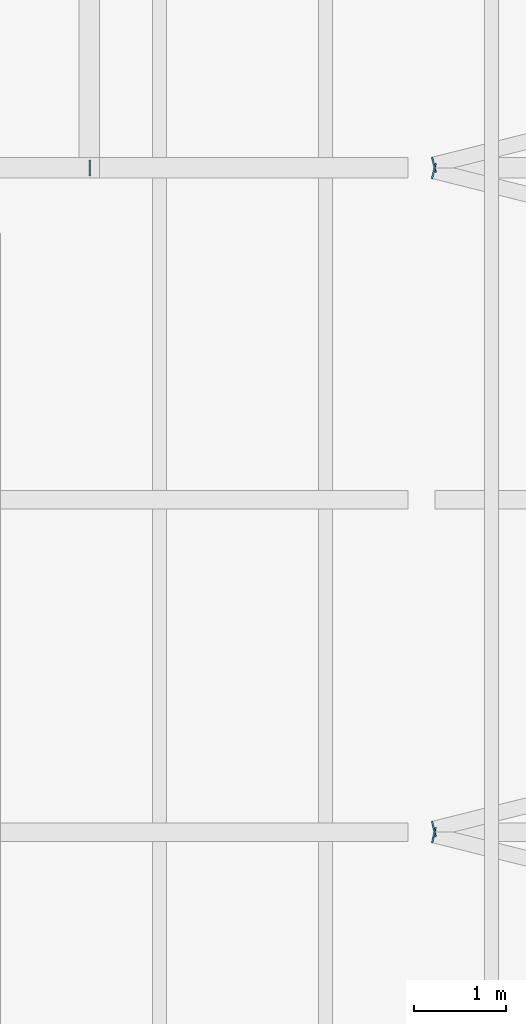
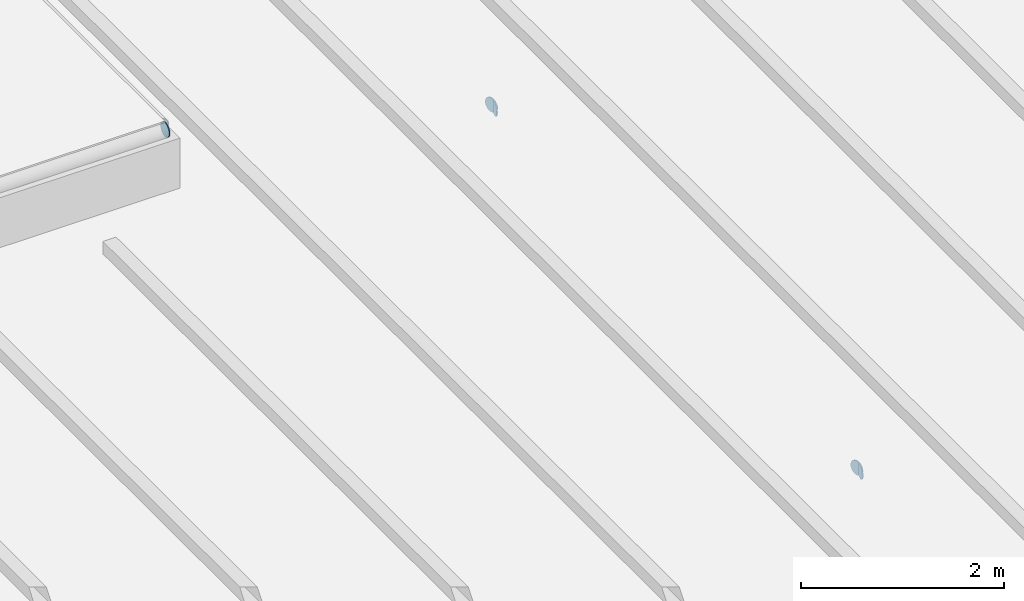
# One storey, part 73 of 120: 5 discrete accessories.
"""IFC4 building model written with IfcOpenShell, lengths in metres."""

from ifc_helpers import new_model, si_unit, direction, frame, origin, origin_2d, place, context, subcontext, project, spatial, circle, extrude, material, layer, layer_set, type_object, element, save


model = new_model("IFC4")

# Units and contexts
model_context = context("Model", 3, precision=1e-05, world=origin(), true_north=direction((0.0, 1.0)))
body_context = subcontext(model_context, "Body", "Model", "MODEL_VIEW")
ifc_project = project(units=[si_unit("LENGTHUNIT", "METRE"), si_unit("AREAUNIT", "SQUARE_METRE"), si_unit("VOLUMEUNIT", "CUBIC_METRE"), si_unit("PLANEANGLEUNIT", "RADIAN"), si_unit("MASSUNIT", "GRAM", prefix="KILO")], contexts=[model_context])

# Site, building, storey
site_placement = place(None, origin())
site = spatial("IfcSite", under=ifc_project, at=site_placement, CompositionType="ELEMENT")
building_placement = place(site_placement, origin())
building = spatial("IfcBuilding", under=site, at=building_placement, Name="Kupolbacken Congress Centre", CompositionType="ELEMENT")
storey_placement = place(building_placement, frame((0.0, 0.0, 21.60009765625)))
storey = spatial("IfcBuildingStorey", under=building, at=storey_placement, Name="L06", CompositionType="ELEMENT", Elevation=21.60009765625)

# Discrete accessories
ifc_material = material(Name="Steel S355", Category="steel")
ifc_layer = layer(ifc_material, 0.011962890625)
ifc_layer_set = layer_set([ifc_layer], Name="Steel S355")
discrete_accessory_type = type_object("IfcDiscreteAccessoryType", Name="EC2 tube end cap plate 168 dia x 12", PredefinedType="BRACKET", material=ifc_layer_set)
for number, where, z_axis, x_axis, name in (
    (1, (122.540771484375, 46.764892578125, -0.084228515625), (-0.974732318528, 0.223376156329, 0.0), (-0.223376156329, -0.974732318528, 0.0), "End cap plate HR/RB/03-00 B"),
    (2, (122.540771484375, 46.835205078125, -0.084228515625), (-0.970142500145, -0.242535625036, 0.0), (0.242535625036, -0.970142500145, 0.0), "End cap plate HR/RB/03-01 A"),
    (3, (122.540771484375, 53.96484375, -0.084228515625), (-0.970142500145, 0.242535625036, 0.0), (-0.242535625036, -0.970142500145, 0.0), "End cap plate HR/RB/03-02 B"),
    (4, (122.540771484375, 54.03515625, -0.084228515625), (-0.970142500145, -0.242535625036, 0.0), (0.242535625036, -0.970142500145, 0.0), "End cap plate HR/RB/03-03 A"),
    (5, (118.800048828125, 54.0, 0.944091796875), (1.0, 0.0, 0.0), (0.0, 1.0, 0.0), "End cap plate RD/RL1/FS B"),
):
    element("IfcDiscreteAccessory", number, at=place(storey_placement, frame(where, z_axis=z_axis, x_axis=x_axis)), inside=storey, type_object=discrete_accessory_type, Name=name, PredefinedType="BRACKET", context=body_context, shape_type="SweptSolid", body=[
        extrude(circle(Radius=0.084228515625, at=origin_2d()), origin(), (0.0, 0.0, 1.0), 0.011962890625),
    ])

save(model, "model.ifc")
